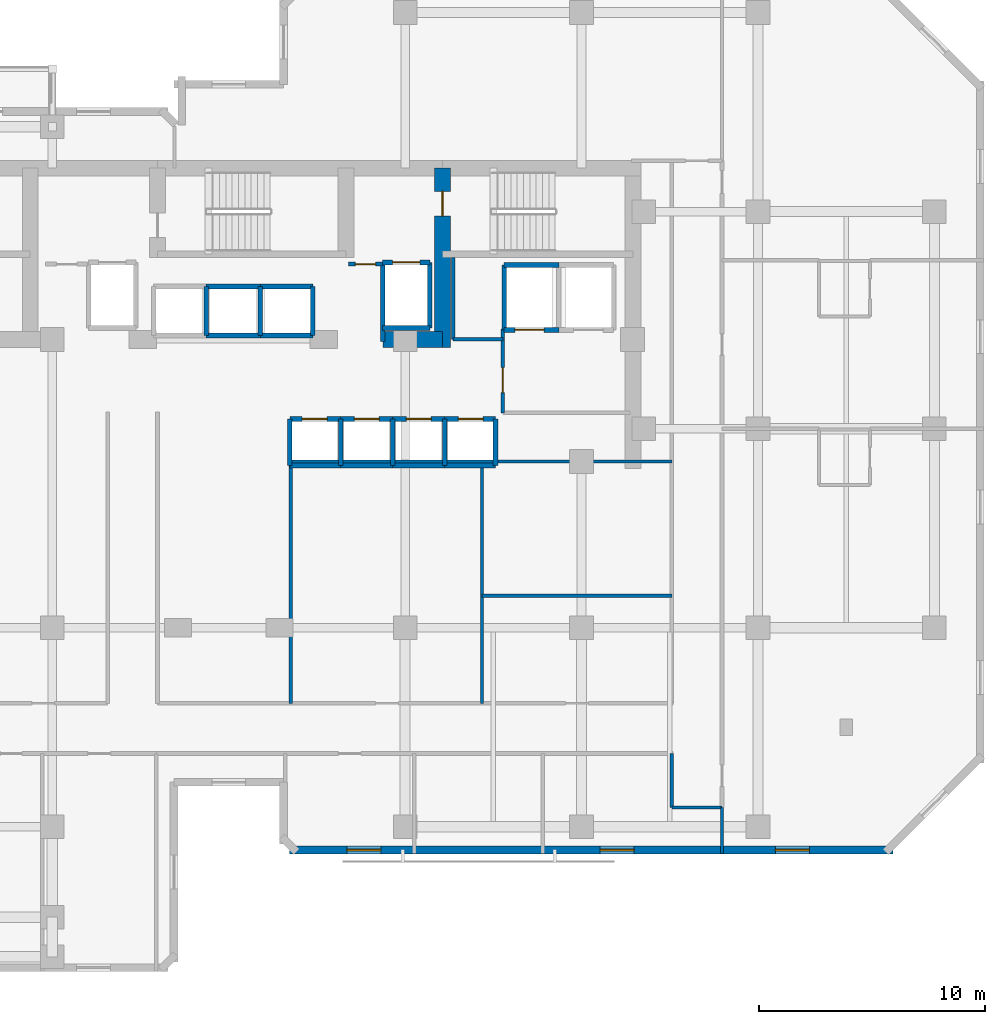
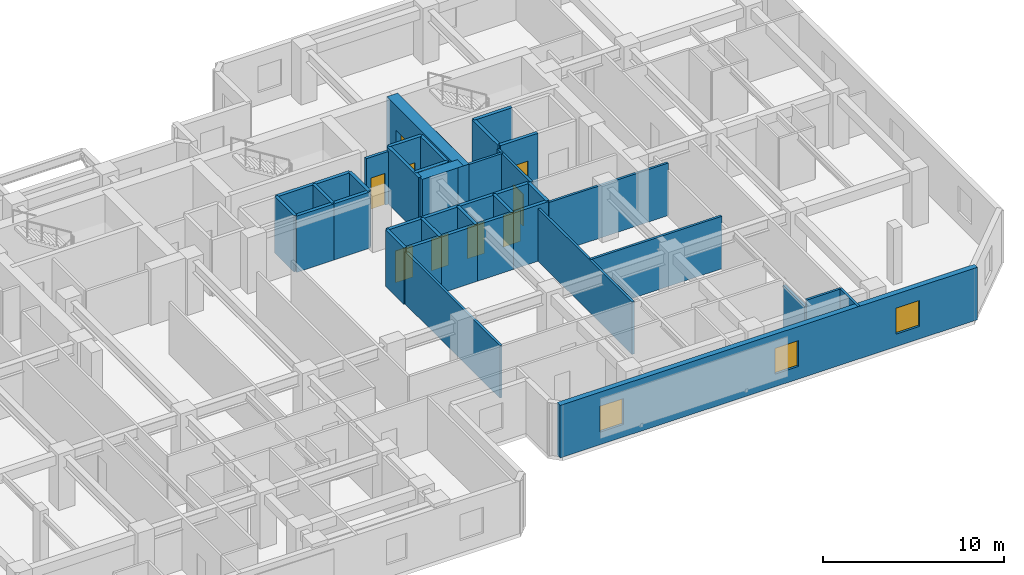
# One storey, part 6 of 10: 41 walls, 9 doors, 3 windows, 12 openings.
"""IFC4 building model written with IfcOpenShell, lengths in metres."""

from ifc_helpers import new_model, si_unit, direction, frame, frame_2d, origin, place, context, subcontext, project, spatial, rectangle, extrude, material, layer, layer_set, type_object, element, fill, save


model = new_model("IFC4")

# Units and contexts
model_context = context("Model", 3, precision=1e-05, world=origin(), true_north=direction((0.0, 1.0)))
body_context = subcontext(model_context, "Body", "Model", "MODEL_VIEW")
ifc_project = project(units=[si_unit("LENGTHUNIT", "METRE"), si_unit("AREAUNIT", "SQUARE_METRE"), si_unit("VOLUMEUNIT", "CUBIC_METRE"), si_unit("PLANEANGLEUNIT", "RADIAN"), si_unit("MASSUNIT", "GRAM", prefix="KILO")], contexts=[model_context])

# Site, building, storey
site_placement = place(None, origin())
site = spatial("IfcSite", under=ifc_project, at=site_placement, CompositionType="ELEMENT")
building_placement = place(site_placement, origin())
building = spatial("IfcBuilding", under=site, at=building_placement, Name="Kestravale Grand Hotel", CompositionType="ELEMENT")
storey_placement = place(building_placement, frame((0.0, 0.0, 142.199951171875)))
storey = spatial("IfcBuildingStorey", under=building, at=storey_placement, Name="L35", CompositionType="ELEMENT", Elevation=142.199951171875)

# Wall
ifc_material_1 = material(Name="Concrete f'c 60 MPa", Category="concrete")
ifc_layer_1 = layer(ifc_material_1, 0.699951171875)
ifc_layer_set_1 = layer_set([ifc_layer_1], Name="EW-CORE-700")
wall_type_1 = type_object("IfcWallType", Name="EW-CORE-700", PredefinedType="SHEAR", material=ifc_layer_set_1)
wall_1_placement = place(storey_placement, frame((45.81005859375, 32.75, 0.0), z_axis=(0.0, 0.0, 1.0), x_axis=(1.0, 0.0, 0.0)))
element("IfcWall", 1, at=wall_1_placement, inside=storey, type_object=wall_type_1, Name="L35 core shear wall S2", PredefinedType="SHEAR", context=body_context, shape_type="SweptSolid", body=[
    extrude(rectangle(XDim=2.639892578125, YDim=0.699951171875, at=frame_2d((1.31982421875, 0.0))), origin(), (0.0, 0.0, 1.0), 3.800048828125),
])

# Wall, opening, door
wall_2_placement = place(storey_placement, frame((48.449951171875, 32.39990234375, 0.0), z_axis=(0.0, 0.0, 1.0), x_axis=(0.0, 1.0, 0.0)))
wall_2 = element("IfcWall", 2, at=wall_2_placement, inside=storey, type_object=wall_type_1, Name="L35 core shear wall X4", PredefinedType="SHEAR", context=body_context, shape_type="SweptSolid", body=[
    extrude(rectangle(XDim=7.920166015625, YDim=0.699951171875, at=frame_2d((3.9599609375, 0.0))), origin(), (0.0, 0.0, 1.0), 3.800048828125),
])
opening_1_placement = place(wall_2_placement, frame((5.800048828125, 0.0, 0.0)))
opening_1 = element("IfcOpeningElement", 3, at=opening_1_placement, cuts=wall_2, Name="Opening D-ST-1100", PredefinedType="OPENING", context=body_context, shape_type="SweptSolid", body=[
    extrude(rectangle(XDim=1.10009765625, YDim=2.14990234375, at=frame_2d((0.550048828125, 1.074951171875))), frame((0.0, 0.35986328125, 0.0), z_axis=(0.0, -1.0, 0.0), x_axis=(1.0, 0.0, 0.0)), (0.0, 0.0, 1.0), 0.719970703125),
])
ifc_material_2 = material(Name="Galvanised 90-minute fire-rated steel stair door", Category="steel")
door_type_1 = type_object("IfcDoorType", Name="D-ST-1100", OperationType="NOTDEFINED", PredefinedType="DOOR", material=ifc_material_2)
door_1_placement = place(opening_1_placement, origin())
door_1 = element("IfcDoor", 4, at=door_1_placement, inside=storey, type_object=door_type_1, Name="L35 Stair ST-3 FSAE fire door", OperationType="SINGLE_SWING_RIGHT", OverallHeight=2.14990234375, OverallWidth=1.10009765625, PredefinedType="DOOR", context=body_context, shape_type="SweptSolid", body=[
    extrude(rectangle(XDim=1.10009765625, YDim=2.14990234375, at=frame_2d((0.550048828125, 1.074951171875))), frame((0.0, 0.02490234375, 0.0), z_axis=(0.0, -1.0, 0.0), x_axis=(1.0, 0.0, 0.0)), (0.0, 0.0, 1.0), 0.050048828125),
])
fill(opening_1, door_1)

# Wall, openings, windows
ifc_material_3 = material(Name="Precast concrete f'c 45 MPa", Category="concrete")
ifc_layer_2 = layer(ifc_material_3, 0.340087890625)
ifc_layer_set_2 = layer_set([ifc_layer_2], Name="EW-PREC-340")
wall_type_2 = type_object("IfcWallType", Name="EW-PREC-340", PredefinedType="SOLIDWALL", material=ifc_layer_set_2)
wall_3_placement = place(storey_placement, frame((41.679931640625, 10.169921875, 0.0), z_axis=(0.0, 0.0, 1.0), x_axis=(1.0, 0.0, 0.0)))
wall_3 = element("IfcWall", 5, at=wall_3_placement, inside=storey, type_object=wall_type_2, Name="L35 fluted precast facade wall 7", PredefinedType="SOLIDWALL", context=body_context, shape_type="SweptSolid", body=[
    extrude(rectangle(XDim=26.690185546875, YDim=0.340087890625, at=frame_2d((13.34521484375, 0.0))), origin(), (0.0, 0.0, 1.0), 3.550048828125),
])
opening_2_placement = place(wall_3_placement, frame((2.54833984375, 0.0, 0.85009765625)))
opening_2 = element("IfcOpeningElement", 6, at=opening_2_placement, cuts=wall_3, Name="Opening W-GUEST-1500", PredefinedType="OPENING", context=body_context, shape_type="SweptSolid", body=[
    extrude(rectangle(XDim=1.5, YDim=1.75, at=frame_2d((0.75, 0.875))), frame((0.0, 0.179931640625, 0.0), z_axis=(0.0, -1.0, 0.0), x_axis=(1.0, 0.0, 0.0)), (0.0, 0.0, 1.0), 0.360107421875),
])
opening_3_placement = place(wall_3_placement, frame((13.7451171875, 0.0, 0.85009765625)))
opening_3 = element("IfcOpeningElement", 7, at=opening_3_placement, cuts=wall_3, Name="Opening W-GUEST-1500", PredefinedType="OPENING", context=body_context, shape_type="SweptSolid", body=[
    extrude(rectangle(XDim=1.5, YDim=1.75, at=frame_2d((0.75, 0.875))), frame((0.0, 0.179931640625, 0.0), z_axis=(0.0, -1.0, 0.0), x_axis=(1.0, 0.0, 0.0)), (0.0, 0.0, 1.0), 0.360107421875),
])
opening_4_placement = place(wall_3_placement, frame((21.49169921875, 0.0, 0.85009765625)))
opening_4 = element("IfcOpeningElement", 8, at=opening_4_placement, cuts=wall_3, Name="Opening W-GUEST-1500", PredefinedType="OPENING", context=body_context, shape_type="SweptSolid", body=[
    extrude(rectangle(XDim=1.5, YDim=1.75, at=frame_2d((0.75, 0.875))), frame((0.0, 0.179931640625, 0.0), z_axis=(0.0, -1.0, 0.0), x_axis=(1.0, 0.0, 0.0)), (0.0, 0.0, 1.0), 0.360107421875),
])
ifc_material_4 = material(Name="Insulated low-E double glazing in aluminium frame", Category="aluminium")
window_type = type_object("IfcWindowType", Name="W-GUEST-1500", PartitioningType="SINGLE_PANEL", PredefinedType="WINDOW", material=ifc_material_4)
window_1_placement = place(opening_2_placement, origin())
window_1 = element("IfcWindow", 9, at=window_1_placement, inside=storey, type_object=window_type, Name="L35 exterior window 7.1", OverallHeight=1.75, OverallWidth=1.5, PartitioningType="SINGLE_PANEL", PredefinedType="WINDOW", context=body_context, shape_type="SweptSolid", body=[
    extrude(rectangle(XDim=1.5, YDim=1.75, at=frame_2d((0.75, 0.875))), frame((0.0, 0.030029296875, 0.0), z_axis=(0.0, -1.0, 0.0), x_axis=(1.0, 0.0, 0.0)), (0.0, 0.0, 1.0), 0.06005859375),
])
fill(opening_2, window_1)
window_2_placement = place(opening_3_placement, origin())
window_2 = element("IfcWindow", 10, at=window_2_placement, inside=storey, type_object=window_type, Name="L35 exterior window 7.2", OverallHeight=1.75, OverallWidth=1.5, PartitioningType="SINGLE_PANEL", PredefinedType="WINDOW", context=body_context, shape_type="SweptSolid", body=[
    extrude(rectangle(XDim=1.5, YDim=1.75, at=frame_2d((0.75, 0.875))), frame((0.0, 0.030029296875, 0.0), z_axis=(0.0, -1.0, 0.0), x_axis=(1.0, 0.0, 0.0)), (0.0, 0.0, 1.0), 0.06005859375),
])
fill(opening_3, window_2)
window_3_placement = place(opening_4_placement, origin())
window_3 = element("IfcWindow", 11, at=window_3_placement, inside=storey, type_object=window_type, Name="L35 exterior window 7.3", OverallHeight=1.75, OverallWidth=1.5, PartitioningType="SINGLE_PANEL", PredefinedType="WINDOW", context=body_context, shape_type="SweptSolid", body=[
    extrude(rectangle(XDim=1.5, YDim=1.75, at=frame_2d((0.75, 0.875))), frame((0.0, 0.030029296875, 0.0), z_axis=(0.0, -1.0, 0.0), x_axis=(1.0, 0.0, 0.0)), (0.0, 0.0, 1.0), 0.06005859375),
])
fill(opening_4, window_3)

# Wall, opening, door
ifc_material_5 = material(Name="Acoustic fire-rated gypsum board partition", Category="other")
ifc_layer_3 = layer(ifc_material_5, 0.159912109375)
ifc_layer_set_3 = layer_set([ifc_layer_3], Name="IW-CORR-160")
wall_type_3 = type_object("IfcWallType", Name="IW-CORR-160", PredefinedType="PARTITIONING", material=ifc_layer_set_3)
wall_4_placement = place(storey_placement, frame((51.1201171875, 29.5, 0.0), z_axis=(0.0, 0.0, 1.0), x_axis=(0.0, 1.0, 0.0)))
wall_4 = element("IfcWall", 12, at=wall_4_placement, inside=storey, type_object=wall_type_3, Name="W-L35-SVCLOB-W", PredefinedType="PARTITIONING", context=body_context, shape_type="SweptSolid", body=[
    extrude(rectangle(XDim=3.699951171875, YDim=0.159912109375, at=frame_2d((1.85009765625, 0.0))), origin(), (0.0, 0.0, 1.0), 3.550048828125),
])
opening_5_placement = place(wall_4_placement, frame((0.89990234375, 0.0, 0.0)))
opening_5 = element("IfcOpeningElement", 13, at=opening_5_placement, cuts=wall_4, Name="Opening D-CORR-1100", PredefinedType="OPENING", context=body_context, shape_type="SweptSolid", body=[
    extrude(rectangle(XDim=1.10009765625, YDim=2.14990234375, at=frame_2d((0.550048828125, 1.074951171875))), frame((0.0, 0.08984375, 0.0), z_axis=(0.0, -1.0, 0.0), x_axis=(1.0, 0.0, 0.0)), (0.0, 0.0, 1.0), 0.179931640625),
])
ifc_material_6 = material(Name="Single-leaf service vestibule fire door", Category="steel")
door_type_2 = type_object("IfcDoorType", Name="D-CORR-1100", OperationType="NOTDEFINED", PredefinedType="DOOR", material=ifc_material_6)
door_2_placement = place(opening_5_placement, origin())
door_2 = element("IfcDoor", 14, at=door_2_placement, inside=storey, type_object=door_type_2, Name="L35 service lift lobby door", OperationType="SINGLE_SWING_LEFT", OverallHeight=2.14990234375, OverallWidth=1.10009765625, PredefinedType="DOOR", context=body_context, shape_type="SweptSolid", body=[
    extrude(rectangle(XDim=1.10009765625, YDim=2.14990234375, at=frame_2d((0.550048828125, 1.074951171875))), frame((0.0, 0.02490234375, 0.0), z_axis=(0.0, -1.0, 0.0), x_axis=(1.0, 0.0, 0.0)), (0.0, 0.0, 1.0), 0.050048828125),
])
fill(opening_5, door_2)

# Walls
wall_5_placement = place(storey_placement, frame((48.919921875, 32.75, 0.0), z_axis=(0.0, 0.0, 1.0), x_axis=(1.0, 0.0, 0.0)))
element("IfcWall", 15, at=wall_5_placement, inside=storey, type_object=wall_type_3, Name="W-L35-CES", PredefinedType="PARTITIONING", context=body_context, shape_type="SweptSolid", body=[
    extrude(rectangle(XDim=2.2001953125, YDim=0.159912109375, at=frame_2d((1.10009765625, 0.0))), origin(), (0.0, 0.0, 1.0), 3.550048828125),
])
wall_6_placement = place(storey_placement, frame((58.590087890625, 12.050048828125, 0.0), z_axis=(0.0, 0.0, 1.0), x_axis=(0.0, 1.0, 0.0)))
element("IfcWall", 16, at=wall_6_placement, inside=storey, type_object=wall_type_3, Name="W-L35-SE-W", PredefinedType="PARTITIONING", context=body_context, shape_type="SweptSolid", body=[
    extrude(rectangle(XDim=2.389892578125, YDim=0.159912109375, at=frame_2d((1.19482421875, 0.0))), origin(), (0.0, 0.0, 1.0), 3.093017578125),
])

# Wall, opening, door
ifc_material_7 = material(Name="Fire-rated gypsum board on steel studs with mineral wool", Category="steel")
ifc_layer_4 = layer(ifc_material_7, 0.179931640625)
ifc_layer_set_4 = layer_set([ifc_layer_4], Name="IW-FSAE-180")
wall_type_4 = type_object("IfcWallType", Name="IW-FSAE-180", PredefinedType="PARTITIONING", material=ifc_layer_set_4)
wall_7_placement = place(storey_placement, frame((44.300048828125, 36.080078125, 0.0), z_axis=(0.0, 0.0, 1.0), x_axis=(1.0, 0.0, 0.0)))
wall_7 = element("IfcWall", 17, at=wall_7_placement, inside=storey, type_object=wall_type_4, Name="L35 FSAE Lobby 2 smoke barrier", PredefinedType="PARTITIONING", context=body_context, shape_type="SweptSolid", body=[
    extrude(rectangle(XDim=1.5, YDim=0.179931640625, at=frame_2d((0.75, 0.0))), origin(), (0.0, 0.0, 1.0), 3.550048828125),
])
opening_6_placement = place(wall_7_placement, frame((0.300048828125, 0.0, 0.0)))
opening_6 = element("IfcOpeningElement", 18, at=opening_6_placement, cuts=wall_7, Name="Opening D-FSAE-1000", PredefinedType="OPENING", context=body_context, shape_type="SweptSolid", body=[
    extrude(rectangle(XDim=0.89990234375, YDim=2.14990234375, at=frame_2d((0.449951171875, 1.074951171875))), frame((0.0, 0.099853515625, 0.0), z_axis=(0.0, -1.0, 0.0), x_axis=(1.0, 0.0, 0.0)), (0.0, 0.0, 1.0), 0.199951171875),
])
ifc_material_8 = material(Name="Smoke-gasketed FSAE lobby fire door", Category="steel")
door_type_3 = type_object("IfcDoorType", Name="D-FSAE-1000", OperationType="NOTDEFINED", PredefinedType="DOOR", material=ifc_material_8)
door_3_placement = place(opening_6_placement, origin())
door_3 = element("IfcDoor", 19, at=door_3_placement, inside=storey, type_object=door_type_3, Name="L35 FSAE Lobby 2 fire door", OperationType="SINGLE_SWING_LEFT", OverallHeight=2.14990234375, OverallWidth=0.89990234375, PredefinedType="DOOR", context=body_context, shape_type="SweptSolid", body=[
    extrude(rectangle(XDim=0.89990234375, YDim=2.14990234375, at=frame_2d((0.449951171875, 1.074951171875))), frame((0.0, 0.02490234375, 0.0), z_axis=(0.0, -1.0, 0.0), x_axis=(1.0, 0.0, 0.0)), (0.0, 0.0, 1.0), 0.050048828125),
])
fill(opening_6, door_3)

# Walls
ifc_material_9 = material(Name="Concrete f'c 45 MPa", Category="concrete")
ifc_layer_5 = layer(ifc_material_9, 0.199951171875)
ifc_layer_set_5 = layer_set([ifc_layer_5], Name="IW-SHAFT-200")
wall_type_5 = type_object("IfcWallType", Name="IW-SHAFT-200", PredefinedType="SHEAR", material=ifc_layer_set_5)
for number, where, z_axis, x_axis, name in (
    (20, (41.705078125, 27.169921875, 0.0), (0.0, 0.0, 1.0), (0.0, 1.0, 0.0), "L35 PL-M1 west shaft wall"),
    (21, (43.949951171875, 27.169921875, 0.0), (0.0, 0.0, 1.0), (0.0, 1.0, 0.0), "L35 PL-M2 west shaft wall"),
    (22, (46.25, 27.169921875, 0.0), (0.0, 0.0, 1.0), (0.0, 1.0, 0.0), "L35 PL-M3 west shaft wall"),
    (23, (48.550048828125, 27.169921875, 0.0), (0.0, 0.0, 1.0), (0.0, 1.0, 0.0), "L35 PL-M4 west shaft wall"),
    (24, (50.794921875, 27.169921875, 0.0), (0.0, 0.0, 1.0), (0.0, 1.0, 0.0), "L35 PL-M4 east shaft wall"),
):
    element("IfcWall", number, at=place(storey_placement, frame(where, z_axis=z_axis, x_axis=x_axis)), inside=storey, type_object=wall_type_5, Name=name, PredefinedType="SHEAR", context=body_context, shape_type="SweptSolid", body=[
        extrude(rectangle(XDim=2.06005859375, YDim=0.199951171875, at=frame_2d((1.030029296875, 0.0))), origin(), (0.0, 0.0, 1.0), 3.800048828125),
    ])
for number, where, z_axis, x_axis, name in (
    (25, (38.0, 32.919921875, 0.0), (0.0, 0.0, 1.0), (0.0, 1.0, 0.0), "L35 PL-X2 west shaft wall"),
    (26, (40.39990234375, 32.919921875, 0.0), (0.0, 0.0, 1.0), (0.0, 1.0, 0.0), "L35 PL-X3 west shaft wall"),
    (27, (42.719970703125, 32.919921875, 0.0), (0.0, 0.0, 1.0), (0.0, 1.0, 0.0), "L35 PL-X3 east shaft wall"),
):
    element("IfcWall", number, at=place(storey_placement, frame(where, z_axis=z_axis, x_axis=x_axis)), inside=storey, type_object=wall_type_5, Name=name, PredefinedType="SHEAR", context=body_context, shape_type="SweptSolid", body=[
        extrude(rectangle(XDim=2.16015625, YDim=0.199951171875, at=frame_2d((1.080078125, 0.0))), origin(), (0.0, 0.0, 1.0), 3.800048828125),
    ])
wall_8_placement = place(storey_placement, frame((51.179931640625, 33.169921875, 0.0), z_axis=(0.0, 0.0, 1.0), x_axis=(0.0, 1.0, 0.0)))
element("IfcWall", 28, at=wall_8_placement, inside=storey, type_object=wall_type_5, Name="L35 SL-1 west shaft wall", PredefinedType="SHEAR", context=body_context, shape_type="SweptSolid", body=[
    extrude(rectangle(XDim=2.860107421875, YDim=0.199951171875, at=frame_2d((1.43017578125, 0.0))), origin(), (0.0, 0.0, 1.0), 3.800048828125),
])
wall_9_placement = place(storey_placement, frame((45.804931640625, 32.64990234375, 0.0), z_axis=(0.0, 0.0, 1.0), x_axis=(0.0, 1.0, 0.0)))
element("IfcWall", 29, at=wall_9_placement, inside=storey, type_object=wall_type_5, Name="L35 FL-2 west shaft wall", PredefinedType="SHEAR", context=body_context, shape_type="SweptSolid", body=[
    extrude(rectangle(XDim=3.505126953125, YDim=0.199951171875, at=frame_2d((1.75244140625, 0.0))), origin(), (0.0, 0.0, 1.0), 3.800048828125),
])
wall_10_placement = place(storey_placement, frame((47.89501953125, 33.2451171875, 0.0), z_axis=(0.0, 0.0, 1.0), x_axis=(0.0, 1.0, 0.0)))
element("IfcWall", 30, at=wall_10_placement, inside=storey, type_object=wall_type_5, Name="L35 FL-2 east shaft wall", PredefinedType="SHEAR", context=body_context, shape_type="SweptSolid", body=[
    extrude(rectangle(XDim=2.909912109375, YDim=0.199951171875, at=frame_2d((1.455078125, 0.0))), origin(), (0.0, 0.0, 1.0), 3.800048828125),
])

# Wall, opening, door
ifc_material_10 = material(Name="Concrete f'c 45 MPa", Category="concrete")
ifc_layer_6 = layer(ifc_material_10, 0.219970703125)
ifc_layer_set_6 = layer_set([ifc_layer_6], Name="IW-SHAFT-220")
wall_type_6 = type_object("IfcWallType", Name="IW-SHAFT-220", PredefinedType="SHEAR", material=ifc_layer_set_6)
wall_11_placement = place(storey_placement, frame((41.705078125, 29.22998046875, 0.0), z_axis=(0.0, 0.0, 1.0), x_axis=(1.0, 0.0, 0.0)))
wall_11 = element("IfcWall", 31, at=wall_11_placement, inside=storey, type_object=wall_type_6, Name="L35 PL-M1 north shaft wall", PredefinedType="SHEAR", context=body_context, shape_type="SweptSolid", body=[
    extrude(rectangle(XDim=2.244873046875, YDim=0.219970703125, at=frame_2d((1.12255859375, 0.0))), origin(), (0.0, 0.0, 1.0), 3.800048828125),
])
opening_7_placement = place(wall_11_placement, frame((0.544921875, 0.0, 0.0)))
opening_7 = element("IfcOpeningElement", 32, at=opening_7_placement, cuts=wall_11, Name="Opening LD-PAX-1100", PredefinedType="OPENING", context=body_context, shape_type="SweptSolid", body=[
    extrude(rectangle(XDim=1.10009765625, YDim=2.14990234375, at=frame_2d((0.550048828125, 1.074951171875))), frame((0.0, 0.119873046875, 0.0), z_axis=(0.0, -1.0, 0.0), x_axis=(1.0, 0.0, 0.0)), (0.0, 0.0, 1.0), 0.239990234375),
])
ifc_material_11 = material(Name="Champagne-bronze center-opening sliding elevator landing door", Category="steel")
door_type_4 = type_object("IfcDoorType", Name="LD-PAX-1100", OperationType="NOTDEFINED", PredefinedType="DOOR", material=ifc_material_11)
door_4_placement = place(opening_7_placement, origin())
door_4 = element("IfcDoor", 33, at=door_4_placement, inside=storey, type_object=door_type_4, Name="L35 PL-M1 elevator landing sliding door", OperationType="DOUBLE_DOOR_SLIDING", OverallHeight=2.14990234375, OverallWidth=1.10009765625, PredefinedType="DOOR", context=body_context, shape_type="SweptSolid", body=[
    extrude(rectangle(XDim=1.10009765625, YDim=2.14990234375, at=frame_2d((0.550048828125, 1.074951171875))), frame((0.0, 0.02490234375, 0.0), z_axis=(0.0, -1.0, 0.0), x_axis=(1.0, 0.0, 0.0)), (0.0, 0.0, 1.0), 0.050048828125),
])
fill(opening_7, door_4)

# Wall
wall_12_placement = place(storey_placement, frame((41.705078125, 27.169921875, 0.0), z_axis=(0.0, 0.0, 1.0), x_axis=(1.0, 0.0, 0.0)))
element("IfcWall", 34, at=wall_12_placement, inside=storey, type_object=wall_type_6, Name="L35 PL-M1 south shaft wall", PredefinedType="SHEAR", context=body_context, shape_type="SweptSolid", body=[
    extrude(rectangle(XDim=2.244873046875, YDim=0.219970703125, at=frame_2d((1.12255859375, 0.0))), origin(), (0.0, 0.0, 1.0), 3.800048828125),
])

# Wall, opening, door
wall_13_placement = place(storey_placement, frame((43.949951171875, 29.22998046875, 0.0), z_axis=(0.0, 0.0, 1.0), x_axis=(1.0, 0.0, 0.0)))
wall_13 = element("IfcWall", 35, at=wall_13_placement, inside=storey, type_object=wall_type_6, Name="L35 PL-M2 north shaft wall", PredefinedType="SHEAR", context=body_context, shape_type="SweptSolid", body=[
    extrude(rectangle(XDim=2.300048828125, YDim=0.219970703125, at=frame_2d((1.14990234375, 0.0))), origin(), (0.0, 0.0, 1.0), 3.800048828125),
])
opening_8_placement = place(wall_13_placement, frame((0.60009765625, 0.0, 0.0)))
opening_8 = element("IfcOpeningElement", 36, at=opening_8_placement, cuts=wall_13, Name="Opening LD-PAX-1100", PredefinedType="OPENING", context=body_context, shape_type="SweptSolid", body=[
    extrude(rectangle(XDim=1.10009765625, YDim=2.14990234375, at=frame_2d((0.550048828125, 1.074951171875))), frame((0.0, 0.119873046875, 0.0), z_axis=(0.0, -1.0, 0.0), x_axis=(1.0, 0.0, 0.0)), (0.0, 0.0, 1.0), 0.239990234375),
])
door_5_placement = place(opening_8_placement, origin())
door_5 = element("IfcDoor", 37, at=door_5_placement, inside=storey, type_object=door_type_4, Name="L35 PL-M2 elevator landing sliding door", OperationType="DOUBLE_DOOR_SLIDING", OverallHeight=2.14990234375, OverallWidth=1.10009765625, PredefinedType="DOOR", context=body_context, shape_type="SweptSolid", body=[
    extrude(rectangle(XDim=1.10009765625, YDim=2.14990234375, at=frame_2d((0.550048828125, 1.074951171875))), frame((0.0, 0.02490234375, 0.0), z_axis=(0.0, -1.0, 0.0), x_axis=(1.0, 0.0, 0.0)), (0.0, 0.0, 1.0), 0.050048828125),
])
fill(opening_8, door_5)

# Wall
wall_14_placement = place(storey_placement, frame((43.949951171875, 27.169921875, 0.0), z_axis=(0.0, 0.0, 1.0), x_axis=(1.0, 0.0, 0.0)))
element("IfcWall", 38, at=wall_14_placement, inside=storey, type_object=wall_type_6, Name="L35 PL-M2 south shaft wall", PredefinedType="SHEAR", context=body_context, shape_type="SweptSolid", body=[
    extrude(rectangle(XDim=2.300048828125, YDim=0.219970703125, at=frame_2d((1.14990234375, 0.0))), origin(), (0.0, 0.0, 1.0), 3.800048828125),
])

# Wall, opening, door
wall_15_placement = place(storey_placement, frame((46.25, 29.22998046875, 0.0), z_axis=(0.0, 0.0, 1.0), x_axis=(1.0, 0.0, 0.0)))
wall_15 = element("IfcWall", 39, at=wall_15_placement, inside=storey, type_object=wall_type_6, Name="L35 PL-M3 north shaft wall", PredefinedType="SHEAR", context=body_context, shape_type="SweptSolid", body=[
    extrude(rectangle(XDim=2.300048828125, YDim=0.219970703125, at=frame_2d((1.14990234375, 0.0))), origin(), (0.0, 0.0, 1.0), 3.800048828125),
])
opening_9_placement = place(wall_15_placement, frame((0.60009765625, 0.0, 0.0)))
opening_9 = element("IfcOpeningElement", 40, at=opening_9_placement, cuts=wall_15, Name="Opening LD-PAX-1100", PredefinedType="OPENING", context=body_context, shape_type="SweptSolid", body=[
    extrude(rectangle(XDim=1.10009765625, YDim=2.14990234375, at=frame_2d((0.550048828125, 1.074951171875))), frame((0.0, 0.119873046875, 0.0), z_axis=(0.0, -1.0, 0.0), x_axis=(1.0, 0.0, 0.0)), (0.0, 0.0, 1.0), 0.239990234375),
])
door_6_placement = place(opening_9_placement, origin())
door_6 = element("IfcDoor", 41, at=door_6_placement, inside=storey, type_object=door_type_4, Name="L35 PL-M3 elevator landing sliding door", OperationType="DOUBLE_DOOR_SLIDING", OverallHeight=2.14990234375, OverallWidth=1.10009765625, PredefinedType="DOOR", context=body_context, shape_type="SweptSolid", body=[
    extrude(rectangle(XDim=1.10009765625, YDim=2.14990234375, at=frame_2d((0.550048828125, 1.074951171875))), frame((0.0, 0.02490234375, 0.0), z_axis=(0.0, -1.0, 0.0), x_axis=(1.0, 0.0, 0.0)), (0.0, 0.0, 1.0), 0.050048828125),
])
fill(opening_9, door_6)

# Wall
wall_16_placement = place(storey_placement, frame((46.25, 27.169921875, 0.0), z_axis=(0.0, 0.0, 1.0), x_axis=(1.0, 0.0, 0.0)))
element("IfcWall", 42, at=wall_16_placement, inside=storey, type_object=wall_type_6, Name="L35 PL-M3 south shaft wall", PredefinedType="SHEAR", context=body_context, shape_type="SweptSolid", body=[
    extrude(rectangle(XDim=2.300048828125, YDim=0.219970703125, at=frame_2d((1.14990234375, 0.0))), origin(), (0.0, 0.0, 1.0), 3.800048828125),
])

# Wall, opening, door
wall_17_placement = place(storey_placement, frame((48.550048828125, 29.22998046875, 0.0), z_axis=(0.0, 0.0, 1.0), x_axis=(1.0, 0.0, 0.0)))
wall_17 = element("IfcWall", 43, at=wall_17_placement, inside=storey, type_object=wall_type_6, Name="L35 PL-M4 north shaft wall", PredefinedType="SHEAR", context=body_context, shape_type="SweptSolid", body=[
    extrude(rectangle(XDim=2.244873046875, YDim=0.219970703125, at=frame_2d((1.12255859375, 0.0))), origin(), (0.0, 0.0, 1.0), 3.800048828125),
])
opening_10_placement = place(wall_17_placement, frame((0.60009765625, 0.0, 0.0)))
opening_10 = element("IfcOpeningElement", 44, at=opening_10_placement, cuts=wall_17, Name="Opening LD-PAX-1100", PredefinedType="OPENING", context=body_context, shape_type="SweptSolid", body=[
    extrude(rectangle(XDim=1.10009765625, YDim=2.14990234375, at=frame_2d((0.550048828125, 1.074951171875))), frame((0.0, 0.119873046875, 0.0), z_axis=(0.0, -1.0, 0.0), x_axis=(1.0, 0.0, 0.0)), (0.0, 0.0, 1.0), 0.239990234375),
])
door_7_placement = place(opening_10_placement, origin())
door_7 = element("IfcDoor", 45, at=door_7_placement, inside=storey, type_object=door_type_4, Name="L35 PL-M4 elevator landing sliding door", OperationType="DOUBLE_DOOR_SLIDING", OverallHeight=2.14990234375, OverallWidth=1.10009765625, PredefinedType="DOOR", context=body_context, shape_type="SweptSolid", body=[
    extrude(rectangle(XDim=1.10009765625, YDim=2.14990234375, at=frame_2d((0.550048828125, 1.074951171875))), frame((0.0, 0.02490234375, 0.0), z_axis=(0.0, -1.0, 0.0), x_axis=(1.0, 0.0, 0.0)), (0.0, 0.0, 1.0), 0.050048828125),
])
fill(opening_10, door_7)

# Walls
wall_18_placement = place(storey_placement, frame((48.550048828125, 27.169921875, 0.0), z_axis=(0.0, 0.0, 1.0), x_axis=(1.0, 0.0, 0.0)))
element("IfcWall", 46, at=wall_18_placement, inside=storey, type_object=wall_type_6, Name="L35 PL-M4 south shaft wall", PredefinedType="SHEAR", context=body_context, shape_type="SweptSolid", body=[
    extrude(rectangle(XDim=2.244873046875, YDim=0.219970703125, at=frame_2d((1.12255859375, 0.0))), origin(), (0.0, 0.0, 1.0), 3.800048828125),
])
for number, where, z_axis, x_axis, name in (
    (47, (38.0, 35.080078125, 0.0), (0.0, 0.0, 1.0), (1.0, 0.0, 0.0), "L35 PL-X2 north shaft wall"),
    (48, (38.0, 32.919921875, 0.0), (0.0, 0.0, 1.0), (1.0, 0.0, 0.0), "L35 PL-X2 south shaft wall"),
):
    element("IfcWall", number, at=place(storey_placement, frame(where, z_axis=z_axis, x_axis=x_axis)), inside=storey, type_object=wall_type_6, Name=name, PredefinedType="SHEAR", context=body_context, shape_type="SweptSolid", body=[
        extrude(rectangle(XDim=2.39990234375, YDim=0.219970703125, at=frame_2d((1.199951171875, 0.0))), origin(), (0.0, 0.0, 1.0), 3.800048828125),
    ])
for number, where, z_axis, x_axis, name in (
    (49, (40.39990234375, 35.080078125, 0.0), (0.0, 0.0, 1.0), (1.0, 0.0, 0.0), "L35 PL-X3 north shaft wall"),
    (50, (40.39990234375, 32.919921875, 0.0), (0.0, 0.0, 1.0), (1.0, 0.0, 0.0), "L35 PL-X3 south shaft wall"),
):
    element("IfcWall", number, at=place(storey_placement, frame(where, z_axis=z_axis, x_axis=x_axis)), inside=storey, type_object=wall_type_6, Name=name, PredefinedType="SHEAR", context=body_context, shape_type="SweptSolid", body=[
        extrude(rectangle(XDim=2.320068359375, YDim=0.219970703125, at=frame_2d((1.16015625, 0.0))), origin(), (0.0, 0.0, 1.0), 3.800048828125),
    ])
wall_19_placement = place(storey_placement, frame((51.179931640625, 36.030029296875, 0.0), z_axis=(0.0, 0.0, 1.0), x_axis=(1.0, 0.0, 0.0)))
element("IfcWall", 51, at=wall_19_placement, inside=storey, type_object=wall_type_6, Name="L35 SL-1 north shaft wall", PredefinedType="SHEAR", context=body_context, shape_type="SweptSolid", body=[
    extrude(rectangle(XDim=2.420166015625, YDim=0.219970703125, at=frame_2d((1.2099609375, 0.0))), origin(), (0.0, 0.0, 1.0), 3.800048828125),
])

# Wall, opening, door
wall_20_placement = place(storey_placement, frame((51.179931640625, 33.169921875, 0.0), z_axis=(0.0, 0.0, 1.0), x_axis=(1.0, 0.0, 0.0)))
wall_20 = element("IfcWall", 52, at=wall_20_placement, inside=storey, type_object=wall_type_6, Name="L35 SL-1 south shaft wall", PredefinedType="SHEAR", context=body_context, shape_type="SweptSolid", body=[
    extrude(rectangle(XDim=2.420166015625, YDim=0.219970703125, at=frame_2d((1.2099609375, 0.0))), origin(), (0.0, 0.0, 1.0), 3.800048828125),
])
opening_11_placement = place(wall_20_placement, frame((0.469970703125, 0.0, 0.0)))
opening_11 = element("IfcOpeningElement", 53, at=opening_11_placement, cuts=wall_20, Name="Opening LD-SVC-1300", PredefinedType="OPENING", context=body_context, shape_type="SweptSolid", body=[
    extrude(rectangle(XDim=1.300048828125, YDim=2.14990234375, at=frame_2d((0.64990234375, 1.074951171875))), frame((0.0, 0.119873046875, 0.0), z_axis=(0.0, -1.0, 0.0), x_axis=(1.0, 0.0, 0.0)), (0.0, 0.0, 1.0), 0.239990234375),
])
ifc_material_12 = material(Name="Heavy-duty service sliding elevator landing door", Category="steel")
door_type_5 = type_object("IfcDoorType", Name="LD-SVC-1300", OperationType="NOTDEFINED", PredefinedType="DOOR", material=ifc_material_12)
door_8_placement = place(opening_11_placement, origin())
door_8 = element("IfcDoor", 54, at=door_8_placement, inside=storey, type_object=door_type_5, Name="L35 SL-1 elevator landing sliding door", OperationType="DOUBLE_DOOR_SLIDING", OverallHeight=2.14990234375, OverallWidth=1.300048828125, PredefinedType="DOOR", context=body_context, shape_type="SweptSolid", body=[
    extrude(rectangle(XDim=1.300048828125, YDim=2.14990234375, at=frame_2d((0.64990234375, 1.074951171875))), frame((0.0, 0.02490234375, 0.0), z_axis=(0.0, -1.0, 0.0), x_axis=(1.0, 0.0, 0.0)), (0.0, 0.0, 1.0), 0.050048828125),
])
fill(opening_11, door_8)

wall_21_placement = place(storey_placement, frame((45.804931640625, 36.155029296875, 0.0), z_axis=(0.0, 0.0, 1.0), x_axis=(1.0, 0.0, 0.0)))
wall_21 = element("IfcWall", 55, at=wall_21_placement, inside=storey, type_object=wall_type_6, Name="L35 FL-2 north shaft wall", PredefinedType="SHEAR", context=body_context, shape_type="SweptSolid", body=[
    extrude(rectangle(XDim=2.090087890625, YDim=0.219970703125, at=frame_2d((1.044921875, 0.0))), origin(), (0.0, 0.0, 1.0), 3.800048828125),
])
opening_12_placement = place(wall_21_placement, frame((0.445068359375, 0.0, 0.0)))
opening_12 = element("IfcOpeningElement", 56, at=opening_12_placement, cuts=wall_21, Name="Opening LD-FSAE-1200", PredefinedType="OPENING", context=body_context, shape_type="SweptSolid", body=[
    extrude(rectangle(XDim=1.199951171875, YDim=2.14990234375, at=frame_2d((0.60009765625, 1.074951171875))), frame((0.0, 0.119873046875, 0.0), z_axis=(0.0, -1.0, 0.0), x_axis=(1.0, 0.0, 0.0)), (0.0, 0.0, 1.0), 0.239990234375),
])
ifc_material_13 = material(Name="Stainless fire-service sliding elevator landing door", Category="steel")
door_type_6 = type_object("IfcDoorType", Name="LD-FSAE-1200", OperationType="NOTDEFINED", PredefinedType="DOOR", material=ifc_material_13)
door_9_placement = place(opening_12_placement, origin())
door_9 = element("IfcDoor", 57, at=door_9_placement, inside=storey, type_object=door_type_6, Name="L35 FL-2 elevator landing sliding door", OperationType="DOUBLE_DOOR_SLIDING", OverallHeight=2.14990234375, OverallWidth=1.199951171875, PredefinedType="DOOR", context=body_context, shape_type="SweptSolid", body=[
    extrude(rectangle(XDim=1.199951171875, YDim=2.14990234375, at=frame_2d((0.60009765625, 1.074951171875))), frame((0.0, 0.02490234375, 0.0), z_axis=(0.0, -1.0, 0.0), x_axis=(1.0, 0.0, 0.0)), (0.0, 0.0, 1.0), 0.050048828125),
])
fill(opening_12, door_9)

# Walls
wall_22_placement = place(storey_placement, frame((45.804931640625, 33.2451171875, 0.0), z_axis=(0.0, 0.0, 1.0), x_axis=(1.0, 0.0, 0.0)))
element("IfcWall", 58, at=wall_22_placement, inside=storey, type_object=wall_type_6, Name="L35 FL-2 south shaft wall", PredefinedType="SHEAR", context=body_context, shape_type="SweptSolid", body=[
    extrude(rectangle(XDim=2.090087890625, YDim=0.219970703125, at=frame_2d((1.044921875, 0.0))), origin(), (0.0, 0.0, 1.0), 3.800048828125),
])
ifc_material_14 = material(Name="Double-stud STC 52 acoustic demising partition", Category="other")
ifc_layer_7 = layer(ifc_material_14, 0.14990234375)
ifc_layer_set_7 = layer_set([ifc_layer_7], Name="IW-UNIT-150")
wall_type_7 = type_object("IfcWallType", Name="IW-UNIT-150", PredefinedType="PARTITIONING", material=ifc_layer_set_7)
wall_23_placement = place(storey_placement, frame((48.919921875, 32.75, 0.0), z_axis=(0.0, 0.0, 1.0), x_axis=(0.0, 1.0, 0.0)))
element("IfcWall", 59, at=wall_23_placement, inside=storey, type_object=wall_type_7, Name="W-L35-CEW", PredefinedType="PARTITIONING", context=body_context, shape_type="SweptSolid", body=[
    extrude(rectangle(XDim=3.6201171875, YDim=0.14990234375, at=frame_2d((1.81005859375, 0.0))), origin(), (0.0, 0.0, 1.0), 3.550048828125),
])
wall_24_placement = place(storey_placement, frame((58.590087890625, 12.050048828125, 0.0), z_axis=(0.0, 0.0, 1.0), x_axis=(1.0, 0.0, 0.0)))
element("IfcWall", 60, at=wall_24_placement, inside=storey, type_object=wall_type_7, Name="W-L35-SE-S", PredefinedType="PARTITIONING", context=body_context, shape_type="SweptSolid", body=[
    extrude(rectangle(XDim=2.219970703125, YDim=0.14990234375, at=frame_2d((1.10986328125, 0.0))), origin(), (0.0, 0.0, 1.0), 3.550048828125),
])
wall_25_placement = place(storey_placement, frame((41.75, 16.659912109375, 0.0), z_axis=(0.0, 0.0, 1.0), x_axis=(0.0, 1.0, 0.0)))
element("IfcWall", 61, at=wall_25_placement, inside=storey, type_object=wall_type_7, Name="W-L35-RCLE-W", PredefinedType="PARTITIONING", context=body_context, shape_type="SweptSolid", body=[
    extrude(rectangle(XDim=10.510009765625, YDim=0.14990234375, at=frame_2d((5.2548828125, 0.0))), origin(), (0.0, 0.0, 1.0), 3.550048828125),
])
wall_26_placement = place(storey_placement, frame((50.199951171875, 16.659912109375, 0.0), z_axis=(0.0, 0.0, 1.0), x_axis=(0.0, 1.0, 0.0)))
element("IfcWall", 62, at=wall_26_placement, inside=storey, type_object=wall_type_7, Name="W-L35-RCLE-M", PredefinedType="PARTITIONING", context=body_context, shape_type="SweptSolid", body=[
    extrude(rectangle(XDim=10.489990234375, YDim=0.14990234375, at=frame_2d((5.2451171875, 0.0))), origin(), (0.0, 0.0, 1.0), 3.550048828125),
])
wall_27_placement = place(storey_placement, frame((41.75, 27.35009765625, 0.0), z_axis=(0.0, 0.0, 1.0), x_axis=(1.0, 0.0, 0.0)))
element("IfcWall", 63, at=wall_27_placement, inside=storey, type_object=wall_type_7, Name="W-L35-RCLE-N", PredefinedType="PARTITIONING", context=body_context, shape_type="SweptSolid", body=[
    extrude(rectangle(XDim=16.840087890625, YDim=0.14990234375, at=frame_2d((8.419921875, 0.0))), origin(), (0.0, 0.0, 1.0), 3.550048828125),
])
wall_28_placement = place(storey_placement, frame((50.199951171875, 21.419921875, 0.0), z_axis=(0.0, 0.0, 1.0), x_axis=(1.0, 0.0, 0.0)))
element("IfcWall", 64, at=wall_28_placement, inside=storey, type_object=wall_type_7, Name="W-L35-RCLE-H", PredefinedType="PARTITIONING", context=body_context, shape_type="SweptSolid", body=[
    extrude(rectangle(XDim=8.39013671875, YDim=0.14990234375, at=frame_2d((4.195068359375, 0.0))), origin(), (0.0, 0.0, 1.0), 3.550048828125),
])
wall_29_placement = place(storey_placement, frame((60.81005859375, 10.02001953125, 0.0), z_axis=(0.0, 0.0, 1.0), x_axis=(0.0, 1.0, 0.0)))
element("IfcWall", 65, at=wall_29_placement, inside=storey, type_object=wall_type_7, Name="W-L35-SE-EXT", PredefinedType="PARTITIONING", context=body_context, shape_type="SweptSolid", body=[
    extrude(rectangle(XDim=2.030029296875, YDim=0.14990234375, at=frame_2d((1.01513671875, 0.0))), origin(), (0.0, 0.0, 1.0), 3.550048828125),
])

save(model, "model.ifc")
